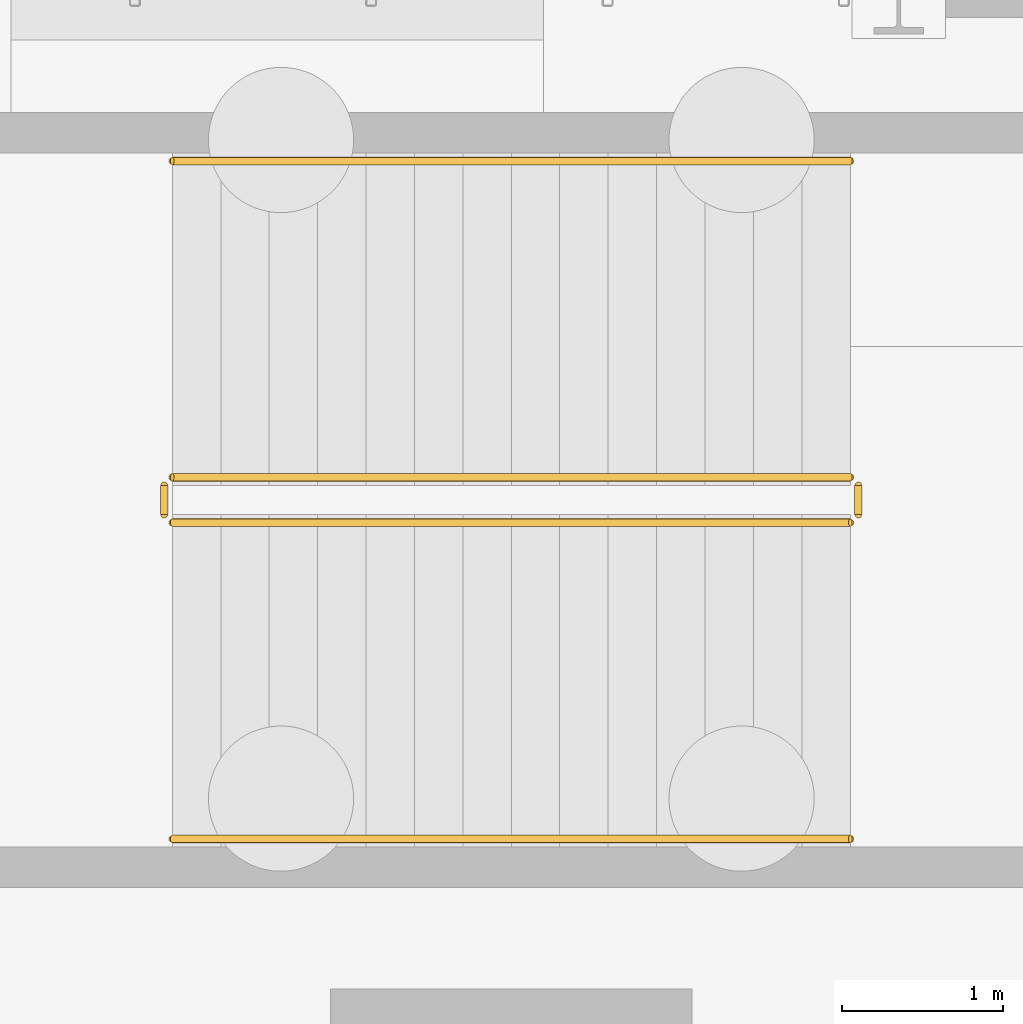
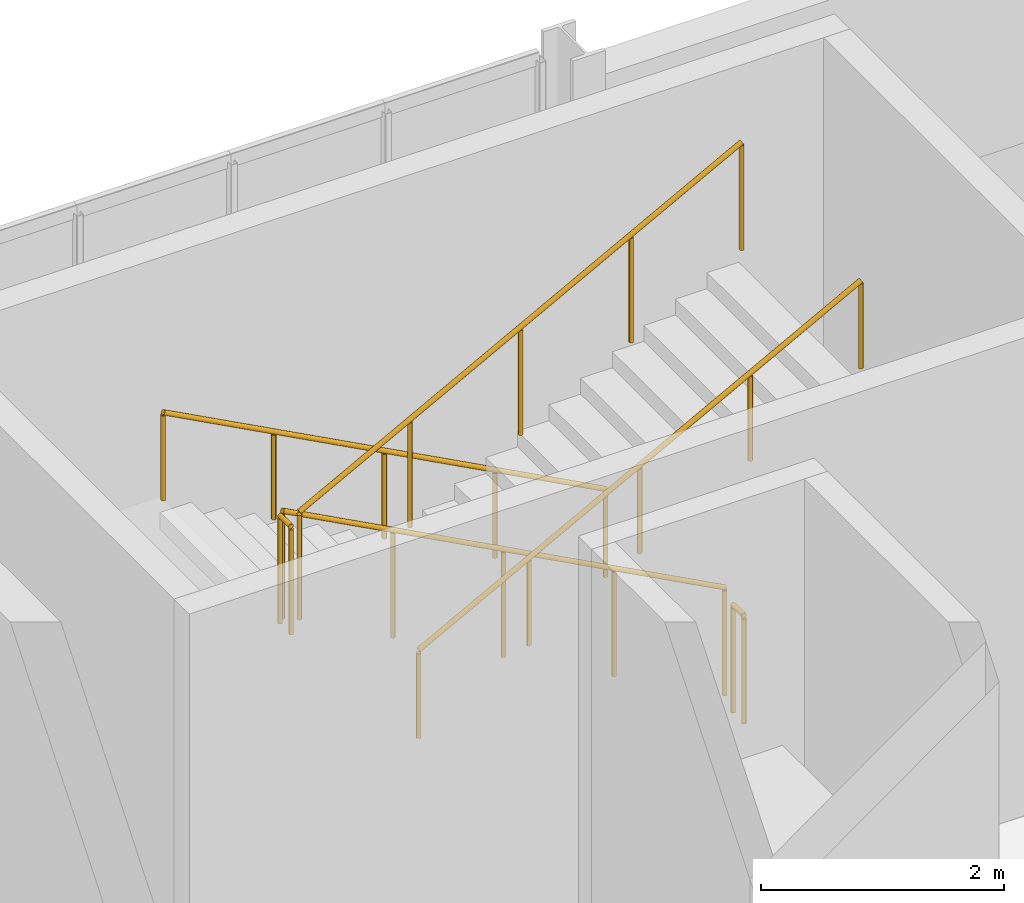
# One storey, part 91 of 101: 6 railings.
"""IFC4 building model written with IfcOpenShell, lengths in metres."""

from ifc_helpers import new_model, si_unit, derived_unit, direction, frame, origin, origin_2d, place, context, subcontext, project, spatial, circle, extrude, material, type_object, element, save


model = new_model("IFC4")

# Units and contexts
model_context = context("Model", 3, precision=1e-05, world=origin(), true_north=direction((0.0, 1.0)))
body_context = subcontext(model_context, "Body", "Model", "MODEL_VIEW")
ifc_project = project(units=[si_unit("LENGTHUNIT", "METRE"), si_unit("AREAUNIT", "SQUARE_METRE"), si_unit("VOLUMEUNIT", "CUBIC_METRE"), si_unit("PLANEANGLEUNIT", "RADIAN"), si_unit("MASSUNIT", "GRAM", prefix="KILO"), derived_unit("THERMALTRANSMITTANCEUNIT", [(si_unit("POWERUNIT", "WATT"), 1), (si_unit("LENGTHUNIT", "METRE"), -2), (si_unit("THERMODYNAMICTEMPERATUREUNIT", "KELVIN"), -1)])], contexts=[model_context])

# Site, building, storey
site_placement = place(None, origin())
site = spatial("IfcSite", under=ifc_project, at=site_placement, CompositionType="ELEMENT")
building_placement = place(site_placement, origin())
building = spatial("IfcBuilding", under=site, at=building_placement, Name="Keldorne Ridge Multi-Sports Centre", CompositionType="ELEMENT")
storey_placement = place(building_placement, origin())
storey = spatial("IfcBuildingStorey", under=building, at=storey_placement, Name="L00", CompositionType="ELEMENT", Elevation=0.0)

# Railings
ifc_material_1 = material(Name="Laminated glass and stainless steel", Category="steel")
railing_type_1 = type_object("IfcRailingType", Name="RLG-BL-01", PredefinedType="BALUSTRADE", material=ifc_material_1)
railing_1_placement = place(storey_placement, frame((111.699951171875, 50.989990234375, 0.159912109375)))
element("IfcRailing", 1, at=railing_1_placement, inside=storey, type_object=railing_type_1, Name="L00 ST-04 stair guard 1", PredefinedType="BALUSTRADE", context=body_context, shape_type="SweptSolid", body=[
    extrude(circle(Radius=0.02392578125, at=origin_2d()), frame((0.0, 0.0, 1.076171875), z_axis=(-0.882351521365, 0.0, 0.470590897432), x_axis=(0.0, -1.0, 0.0)), (0.0, 0.0, 1.0), 4.760009765625),
    extrude(circle(Radius=0.02099609375, at=origin_2d()), origin(), (0.0, 0.0, 1.0), 1.052001953125),
    extrude(circle(Radius=0.02099609375, at=origin_2d()), frame((-1.050048828125, 0.0, 0.56005859375)), (0.0, 0.0, 1.0), 1.052001953125),
    extrude(circle(Radius=0.02099609375, at=origin_2d()), frame((-2.10009765625, 0.0, 1.1201171875)), (0.0, 0.0, 1.0), 1.052001953125),
    extrude(circle(Radius=0.02099609375, at=origin_2d()), frame((-3.14990234375, 0.0, 1.679931640625)), (0.0, 0.0, 1.0), 1.052001953125),
    extrude(circle(Radius=0.02099609375, at=origin_2d()), frame((-4.199951171875, 0.0, 2.239990234375)), (0.0, 0.0, 1.0), 1.052001953125),
])
railing_2_placement = place(storey_placement, frame((107.449951171875, 50.93994140625, 2.39990234375)))
element("IfcRailing", 2, at=railing_2_placement, inside=storey, type_object=railing_type_1, Name="L00 ST-04 stair guard 2", PredefinedType="BALUSTRADE", context=body_context, shape_type="SweptSolid", body=[
    extrude(circle(Radius=0.02392578125, at=origin_2d()), frame((0.0, 0.0, 1.076171875), z_axis=(0.0, -1.0, 0.0), x_axis=(1.0, 0.0, 0.0)), (0.0, 0.0, 1.0), 0.179931640625),
    extrude(circle(Radius=0.02099609375, at=origin_2d()), origin(), (0.0, 0.0, 1.0), 1.052001953125),
    extrude(circle(Radius=0.02099609375, at=origin_2d()), frame((0.0, -0.179931640625, 0.0)), (0.0, 0.0, 1.0), 1.052001953125),
])
railing_3_placement = place(storey_placement, frame((107.5, 50.7099609375, 2.56005859375)))
element("IfcRailing", 3, at=railing_3_placement, inside=storey, type_object=railing_type_1, Name="L00 ST-04 stair guard 3", PredefinedType="BALUSTRADE", context=body_context, shape_type="SweptSolid", body=[
    extrude(circle(Radius=0.02392578125, at=origin_2d()), frame((0.0, 0.0, 1.076171875), z_axis=(0.882351521365, 0.0, 0.470590897432), x_axis=(0.0, 1.0, 0.0)), (0.0, 0.0, 1.0), 4.760009765625),
    extrude(circle(Radius=0.02099609375, at=origin_2d()), origin(), (0.0, 0.0, 1.0), 1.052001953125),
    extrude(circle(Radius=0.02099609375, at=origin_2d()), frame((1.050048828125, 0.0, 0.56005859375)), (0.0, 0.0, 1.0), 1.052001953125),
    extrude(circle(Radius=0.02099609375, at=origin_2d()), frame((2.10009765625, 0.0, 1.1201171875)), (0.0, 0.0, 1.0), 1.052001953125),
    extrude(circle(Radius=0.02099609375, at=origin_2d()), frame((3.14990234375, 0.0, 1.679931640625)), (0.0, 0.0, 1.0), 1.052001953125),
    extrude(circle(Radius=0.02099609375, at=origin_2d()), frame((4.199951171875, 0.0, 2.239990234375)), (0.0, 0.0, 1.0), 1.052001953125),
])
railing_4_placement = place(storey_placement, frame((111.75, 50.93994140625, 0.0)))
element("IfcRailing", 4, at=railing_4_placement, inside=storey, type_object=railing_type_1, Name="L00 ST-04 stair guard 4", PredefinedType="BALUSTRADE", context=body_context, shape_type="SweptSolid", body=[
    extrude(circle(Radius=0.02392578125, at=origin_2d()), frame((0.0, 0.0, 1.076171875), z_axis=(0.0, -1.0, 0.0), x_axis=(1.0, 0.0, 0.0)), (0.0, 0.0, 1.0), 0.179931640625),
    extrude(circle(Radius=0.02099609375, at=origin_2d()), origin(), (0.0, 0.0, 1.0), 1.052001953125),
    extrude(circle(Radius=0.02099609375, at=origin_2d()), frame((0.0, -0.179931640625, 0.0)), (0.0, 0.0, 1.0), 1.052001953125),
])
ifc_material_2 = material(Name="Stainless steel", Category="steel")
railing_type_2 = type_object("IfcRailingType", Name="RLG-HR-01", PredefinedType="HANDRAIL", material=ifc_material_2)
railing_5_placement = place(storey_placement, frame((111.699951171875, 52.949951171875, 0.159912109375)))
element("IfcRailing", 5, at=railing_5_placement, inside=storey, type_object=railing_type_2, Name="L00 ST-04 stair handrail 1", PredefinedType="HANDRAIL", context=body_context, shape_type="SweptSolid", body=[
    extrude(circle(Radius=0.02392578125, at=origin_2d()), frame((0.0, 0.0, 0.8759765625), z_axis=(-0.882351521365, 0.0, 0.470590897432), x_axis=(0.0, -1.0, 0.0)), (0.0, 0.0, 1.0), 4.760009765625),
    extrude(circle(Radius=0.02099609375, at=origin_2d()), origin(), (0.0, 0.0, 1.0), 0.851806640625),
    extrude(circle(Radius=0.02099609375, at=origin_2d()), frame((-1.050048828125, 0.0, 0.56005859375)), (0.0, 0.0, 1.0), 0.851806640625),
    extrude(circle(Radius=0.02099609375, at=origin_2d()), frame((-2.10009765625, 0.0, 1.1201171875)), (0.0, 0.0, 1.0), 0.851806640625),
    extrude(circle(Radius=0.02099609375, at=origin_2d()), frame((-3.14990234375, 0.0, 1.679931640625)), (0.0, 0.0, 1.0), 0.851806640625),
    extrude(circle(Radius=0.02099609375, at=origin_2d()), frame((-4.199951171875, 0.0, 2.239990234375)), (0.0, 0.0, 1.0), 0.851806640625),
])
railing_6_placement = place(storey_placement, frame((107.5, 48.75, 2.56005859375)))
element("IfcRailing", 6, at=railing_6_placement, inside=storey, type_object=railing_type_2, Name="L00 ST-04 stair handrail 2", PredefinedType="HANDRAIL", context=body_context, shape_type="SweptSolid", body=[
    extrude(circle(Radius=0.02392578125, at=origin_2d()), frame((0.0, 0.0, 0.8759765625), z_axis=(0.882351521365, 0.0, 0.470590897432), x_axis=(0.0, 1.0, 0.0)), (0.0, 0.0, 1.0), 4.760009765625),
    extrude(circle(Radius=0.02099609375, at=origin_2d()), origin(), (0.0, 0.0, 1.0), 0.851806640625),
    extrude(circle(Radius=0.02099609375, at=origin_2d()), frame((1.050048828125, 0.0, 0.56005859375)), (0.0, 0.0, 1.0), 0.851806640625),
    extrude(circle(Radius=0.02099609375, at=origin_2d()), frame((2.10009765625, 0.0, 1.1201171875)), (0.0, 0.0, 1.0), 0.851806640625),
    extrude(circle(Radius=0.02099609375, at=origin_2d()), frame((3.14990234375, 0.0, 1.679931640625)), (0.0, 0.0, 1.0), 0.851806640625),
    extrude(circle(Radius=0.02099609375, at=origin_2d()), frame((4.199951171875, 0.0, 2.239990234375)), (0.0, 0.0, 1.0), 0.851806640625),
])

save(model, "model.ifc")
